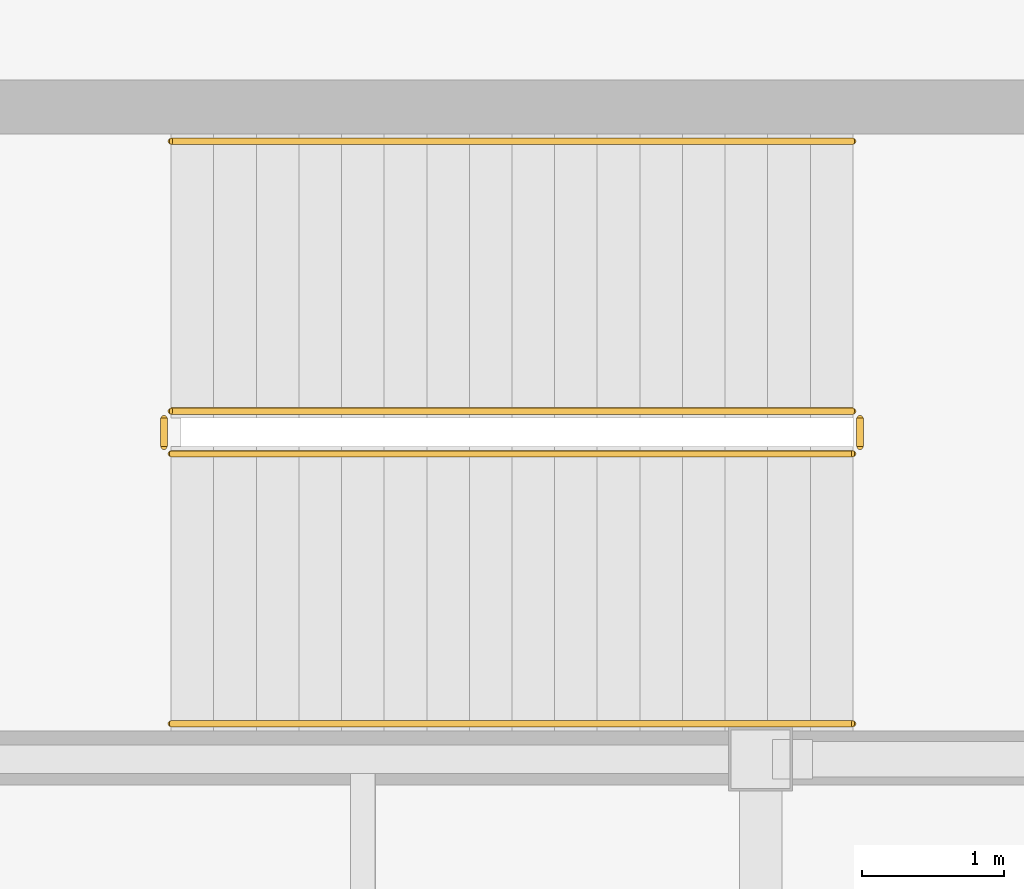
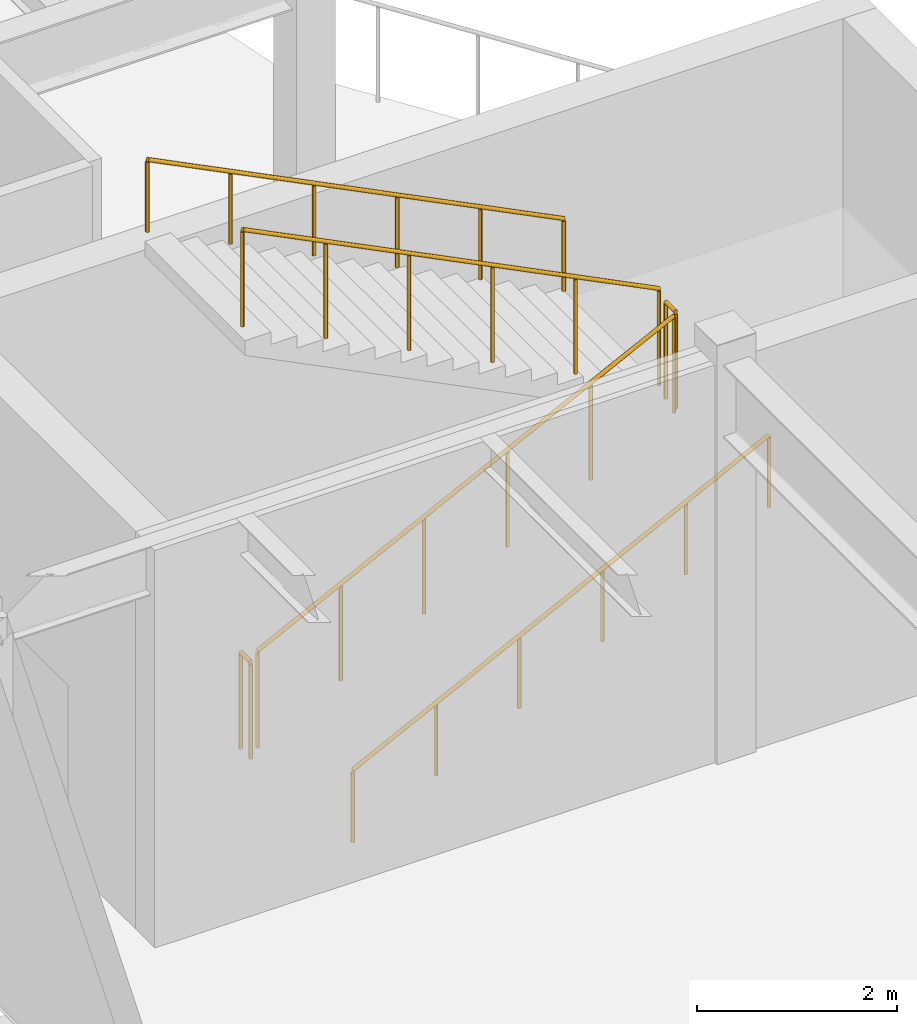
# One storey, part 50 of 57: 6 railings.
"""IFC4 building model written with IfcOpenShell, lengths in metres."""

from ifc_helpers import new_model, si_unit, direction, frame, origin, origin_2d, place, context, subcontext, project, spatial, circle, extrude, material, type_object, element, save


model = new_model("IFC4")

# Units and contexts
model_context = context("Model", 3, precision=1e-05, world=origin(), true_north=direction((0.0, 1.0)))
body_context = subcontext(model_context, "Body", "Model", "MODEL_VIEW")
ifc_project = project(units=[si_unit("LENGTHUNIT", "METRE"), si_unit("AREAUNIT", "SQUARE_METRE"), si_unit("VOLUMEUNIT", "CUBIC_METRE"), si_unit("PLANEANGLEUNIT", "RADIAN"), si_unit("MASSUNIT", "GRAM", prefix="KILO"), si_unit("THERMODYNAMICTEMPERATUREUNIT", "KELVIN")], contexts=[model_context])

# Site, building, storey
site_placement = place(None, origin())
site = spatial("IfcSite", under=ifc_project, at=site_placement, CompositionType="ELEMENT")
building_placement = place(site_placement, origin())
building = spatial("IfcBuilding", under=site, at=building_placement, Name="Lustrewick Department Store", CompositionType="ELEMENT")
storey_placement = place(building_placement, frame((0.0, 0.0, 26.699951171875)))
storey = spatial("IfcBuildingStorey", under=building, at=storey_placement, Name="L06", CompositionType="ELEMENT", Elevation=26.699951171875)

# Railings
ifc_material_1 = material(Name="Painted tubular steel stairwell guardrail", Category="steel")
railing_type_1 = type_object("IfcRailingType", Name="RL-STG", PredefinedType="GUARDRAIL", material=ifc_material_1)
railing_1_placement = place(storey_placement, frame((12.64990234375, 52.550048828125, 0.150146484375)))
element("IfcRailing", 1, at=railing_1_placement, inside=storey, type_object=railing_type_1, Name="L06 ST01 Stair Guard 1", PredefinedType="GUARDRAIL", context=body_context, shape_type="SweptSolid", body=[
    extrude(circle(Radius=0.02392578125, at=origin_2d()), frame((0.0, 0.0, 1.17578125), z_axis=(0.894436289399, 0.0, 0.44719539824), x_axis=(0.0, 1.0, 0.0)), (0.0, 0.0, 1.0), 5.366455078125),
    extrude(circle(Radius=0.02099609375, at=origin_2d()), origin(), (0.0, 0.0, 1.0), 1.15185546875),
    extrude(circle(Radius=0.02099609375, at=origin_2d()), frame((0.9599609375, 0.0, 0.47998046875)), (0.0, 0.0, 1.0), 1.15185546875),
    extrude(circle(Radius=0.02099609375, at=origin_2d()), frame((1.919921875, 0.0, 0.9599609375)), (0.0, 0.0, 1.0), 1.15185546875),
    extrude(circle(Radius=0.02099609375, at=origin_2d()), frame((2.880126953125, 0.0, 1.43994140625)), (0.0, 0.0, 1.0), 1.15185546875),
    extrude(circle(Radius=0.02099609375, at=origin_2d()), frame((3.840087890625, 0.0, 1.919921875)), (0.0, 0.0, 1.0), 1.15185546875),
    extrude(circle(Radius=0.02099609375, at=origin_2d()), frame((4.800048828125, 0.0, 2.39990234375)), (0.0, 0.0, 1.0), 1.15185546875),
])
railing_2_placement = place(storey_placement, frame((17.5, 52.60009765625, 2.550048828125)))
element("IfcRailing", 2, at=railing_2_placement, inside=storey, type_object=railing_type_1, Name="L06 ST01 Stair Guard 2", PredefinedType="GUARDRAIL", context=body_context, shape_type="SweptSolid", body=[
    extrude(circle(Radius=0.02392578125, at=origin_2d()), frame((0.0, 0.0, 1.17578125), z_axis=(0.0, 1.0, 0.0), x_axis=(-1.0, 0.0, 0.0)), (0.0, 0.0, 1.0), 0.199951171875),
    extrude(circle(Radius=0.02099609375, at=origin_2d()), origin(), (0.0, 0.0, 1.0), 1.15185546875),
    extrude(circle(Radius=0.02099609375, at=origin_2d()), frame((0.0, 0.199951171875, 0.0)), (0.0, 0.0, 1.0), 1.15185546875),
])
railing_3_placement = place(storey_placement, frame((17.449951171875, 52.85009765625, 2.699951171875)))
element("IfcRailing", 3, at=railing_3_placement, inside=storey, type_object=railing_type_1, Name="L06 ST01 Stair Guard 3", PredefinedType="GUARDRAIL", context=body_context, shape_type="SweptSolid", body=[
    extrude(circle(Radius=0.02392578125, at=origin_2d()), frame((0.0, 0.0, 1.17578125), z_axis=(-0.894418092416, 0.0, 0.447231792205), x_axis=(0.0, -1.0, 0.0)), (0.0, 0.0, 1.0), 5.36669921875),
    extrude(circle(Radius=0.02099609375, at=origin_2d()), origin(), (0.0, 0.0, 1.0), 1.15185546875),
    extrude(circle(Radius=0.02099609375, at=origin_2d()), frame((-0.9599609375, 0.0, 0.47998046875)), (0.0, 0.0, 1.0), 1.15185546875),
    extrude(circle(Radius=0.02099609375, at=origin_2d()), frame((-1.919921875, 0.0, 0.9599609375)), (0.0, 0.0, 1.0), 1.15185546875),
    extrude(circle(Radius=0.02099609375, at=origin_2d()), frame((-2.880126953125, 0.0, 1.440185546875)), (0.0, 0.0, 1.0), 1.15185546875),
    extrude(circle(Radius=0.02099609375, at=origin_2d()), frame((-3.840087890625, 0.0, 1.920166015625)), (0.0, 0.0, 1.0), 1.15185546875),
    extrude(circle(Radius=0.02099609375, at=origin_2d()), frame((-4.800048828125, 0.0, 2.400146484375)), (0.0, 0.0, 1.0), 1.15185546875),
])
railing_4_placement = place(storey_placement, frame((12.60009765625, 52.60009765625, 0.0)))
element("IfcRailing", 4, at=railing_4_placement, inside=storey, type_object=railing_type_1, Name="L06 ST01 Stair Guard 4", PredefinedType="GUARDRAIL", context=body_context, shape_type="SweptSolid", body=[
    extrude(circle(Radius=0.02392578125, at=origin_2d()), frame((0.0, 0.0, 1.17578125), z_axis=(0.0, 1.0, 0.0), x_axis=(-1.0, 0.0, 0.0)), (0.0, 0.0, 1.0), 0.199951171875),
    extrude(circle(Radius=0.02099609375, at=origin_2d()), origin(), (0.0, 0.0, 1.0), 1.15185546875),
    extrude(circle(Radius=0.02099609375, at=origin_2d()), frame((0.0, 0.199951171875, 0.0)), (0.0, 0.0, 1.0), 1.15185546875),
])
ifc_material_2 = material(Name="Brushed stainless steel wall handrail", Category="steel")
railing_type_2 = type_object("IfcRailingType", Name="RL-STH", PredefinedType="HANDRAIL", material=ifc_material_2)
railing_5_placement = place(storey_placement, frame((12.64990234375, 50.64990234375, 0.150146484375)))
element("IfcRailing", 5, at=railing_5_placement, inside=storey, type_object=railing_type_2, Name="L06 ST01 Stair Handrail 1", PredefinedType="HANDRAIL", context=body_context, shape_type="SweptSolid", body=[
    extrude(circle(Radius=0.02392578125, at=origin_2d()), frame((0.0, 0.0, 0.8759765625), z_axis=(0.894436289399, 0.0, 0.44719539824), x_axis=(0.0, 1.0, 0.0)), (0.0, 0.0, 1.0), 5.366455078125),
    extrude(circle(Radius=0.02099609375, at=origin_2d()), origin(), (0.0, 0.0, 1.0), 0.851806640625),
    extrude(circle(Radius=0.02099609375, at=origin_2d()), frame((0.9599609375, 0.0, 0.47998046875)), (0.0, 0.0, 1.0), 0.851806640625),
    extrude(circle(Radius=0.02099609375, at=origin_2d()), frame((1.919921875, 0.0, 0.9599609375)), (0.0, 0.0, 1.0), 0.851806640625),
    extrude(circle(Radius=0.02099609375, at=origin_2d()), frame((2.880126953125, 0.0, 1.43994140625)), (0.0, 0.0, 1.0), 0.851806640625),
    extrude(circle(Radius=0.02099609375, at=origin_2d()), frame((3.840087890625, 0.0, 1.919921875)), (0.0, 0.0, 1.0), 0.851806640625),
    extrude(circle(Radius=0.02099609375, at=origin_2d()), frame((4.800048828125, 0.0, 2.39990234375)), (0.0, 0.0, 1.0), 0.851806640625),
])
railing_6_placement = place(storey_placement, frame((17.449951171875, 54.75, 2.699951171875)))
element("IfcRailing", 6, at=railing_6_placement, inside=storey, type_object=railing_type_2, Name="L06 ST01 Stair Handrail 2", PredefinedType="HANDRAIL", context=body_context, shape_type="SweptSolid", body=[
    extrude(circle(Radius=0.02392578125, at=origin_2d()), frame((0.0, 0.0, 0.8759765625), z_axis=(-0.894418092416, 0.0, 0.447231792205), x_axis=(0.0, -1.0, 0.0)), (0.0, 0.0, 1.0), 5.36669921875),
    extrude(circle(Radius=0.02099609375, at=origin_2d()), origin(), (0.0, 0.0, 1.0), 0.851806640625),
    extrude(circle(Radius=0.02099609375, at=origin_2d()), frame((-0.9599609375, 0.0, 0.47998046875)), (0.0, 0.0, 1.0), 0.851806640625),
    extrude(circle(Radius=0.02099609375, at=origin_2d()), frame((-1.919921875, 0.0, 0.9599609375)), (0.0, 0.0, 1.0), 0.851806640625),
    extrude(circle(Radius=0.02099609375, at=origin_2d()), frame((-2.880126953125, 0.0, 1.440185546875)), (0.0, 0.0, 1.0), 0.851806640625),
    extrude(circle(Radius=0.02099609375, at=origin_2d()), frame((-3.840087890625, 0.0, 1.920166015625)), (0.0, 0.0, 1.0), 0.851806640625),
    extrude(circle(Radius=0.02099609375, at=origin_2d()), frame((-4.800048828125, 0.0, 2.400146484375)), (0.0, 0.0, 1.0), 0.851806640625),
])

save(model, "model.ifc")
